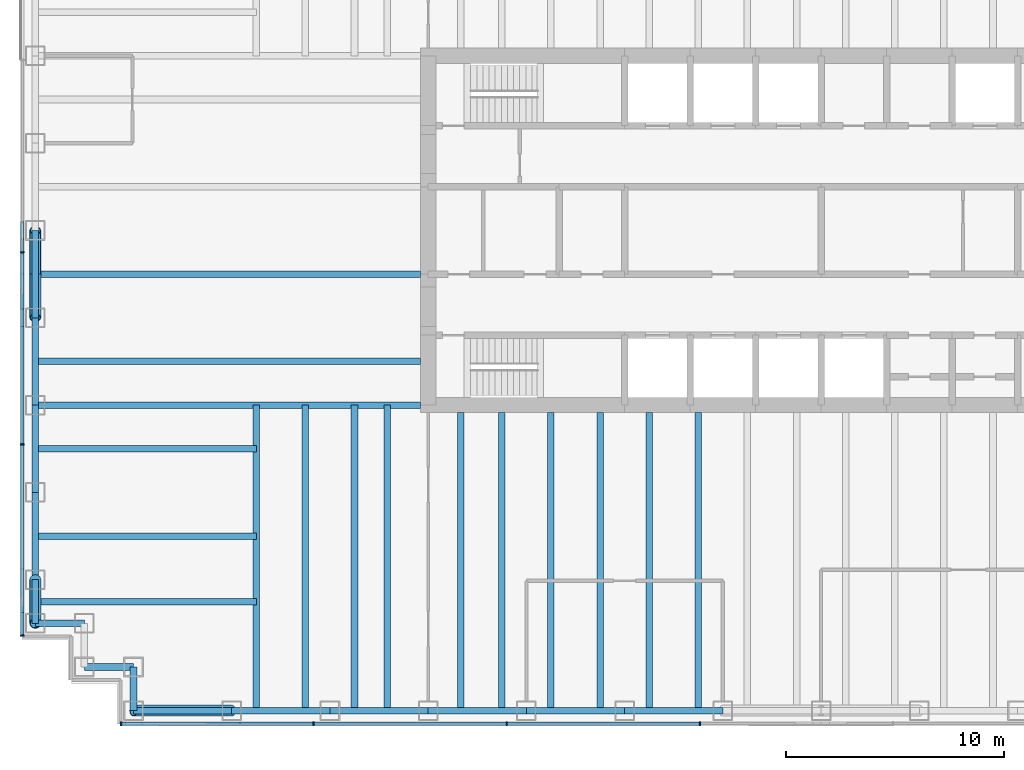
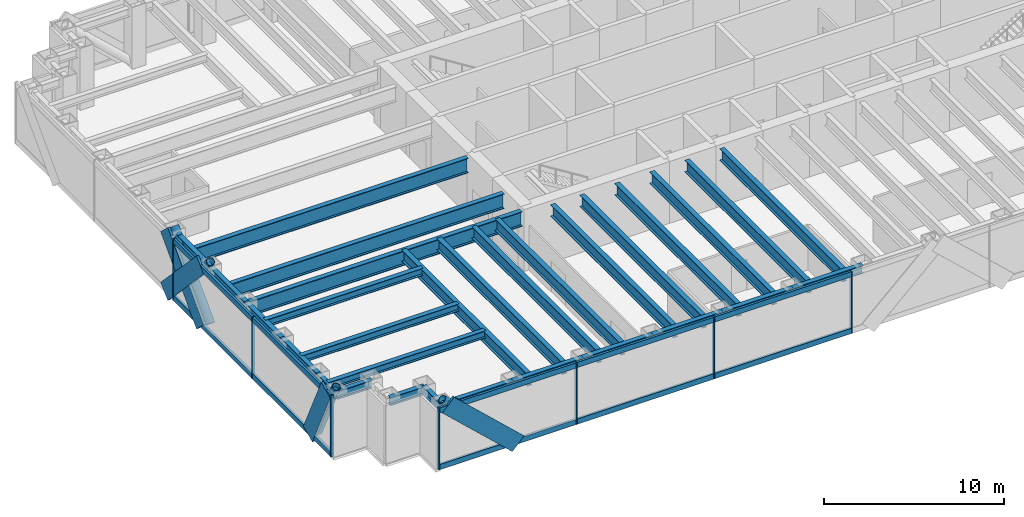
# One storey, part 2 of 15: 30 beams, 25 members, 2 elements without a shape of their own.
"""IFC4 building model written with IfcOpenShell, lengths in metres."""

from ifc_helpers import new_model, si_unit, direction, frame, origin, origin_2d, place, context, subcontext, project, spatial, rectangle, hollow_circle, i_section, extrude, material, material_profile, profile_set, type_object, element, aggregate, save


model = new_model("IFC4")

# Units and contexts
model_context = context("Model", 3, precision=1e-05, world=origin(), true_north=direction((0.0, 1.0)))
body_context = subcontext(model_context, "Body", "Model", "MODEL_VIEW")
ifc_project = project(units=[si_unit("LENGTHUNIT", "METRE"), si_unit("AREAUNIT", "SQUARE_METRE"), si_unit("VOLUMEUNIT", "CUBIC_METRE"), si_unit("PLANEANGLEUNIT", "RADIAN"), si_unit("MASSUNIT", "GRAM", prefix="KILO")], contexts=[model_context])

# Site, building, storey
site_placement = place(None, origin())
site = spatial("IfcSite", under=ifc_project, at=site_placement, CompositionType="ELEMENT")
building_placement = place(site_placement, origin())
building = spatial("IfcBuilding", under=site, at=building_placement, Name="Rheinbord Bourse Tower", CompositionType="ELEMENT")
storey_placement = place(building_placement, frame((0.0, 0.0, 329.89990234375)))
storey = spatial("IfcBuildingStorey", under=building, at=storey_placement, Name="L75", CompositionType="ELEMENT", Elevation=329.89990234375)

# Curtain wall, member
ifc_material_1 = material(Name="Dark glass and black aluminium", Category="aluminium")
curtain_wall_type = type_object("IfcCurtainWallType", Name="CW3 DARK GLASS CURTAIN WALL", PredefinedType="USERDEFINED", material=ifc_material_1)
curtain_wall_1_placement = place(storey_placement, origin())
curtain_wall_1 = element("IfcCurtainWall", 1, at=curtain_wall_1_placement, inside=storey, type_object=curtain_wall_type, Name="Curtain wall CW3 S L75", ObjectType="UNITISED CURTAIN WALL", PredefinedType="USERDEFINED")
ifc_material_2 = material(Name="Black anodised aluminium", Category="aluminium")
ifc_material_profile_1 = material_profile(ifc_material_2, rectangle(XDim=0.14990234375, YDim=1.10791015625, at=origin_2d()), Name="CW3 DIAGONAL MULLION 1108x150")
ifc_profile_set_1 = profile_set([ifc_material_profile_1], Name="Black anodised aluminium")
member_type_1 = type_object("IfcMemberType", Name="CW3 BLACK DIAGONAL MULLION", PredefinedType="USERDEFINED", material=ifc_profile_set_1)
member_1_placement = place(storey_placement, frame((9.0, 1.39990234375, 0.0), z_axis=(-0.731039441158, 0.0, 0.682335207557), x_axis=(0.0, -1.0, 0.0)))
member_1 = element("IfcMember", 2, at=member_1_placement, type_object=member_type_1, Name="CW3 diagonal mullion c", ObjectType="DIAGONAL MULLION", PredefinedType="USERDEFINED", context=body_context, shape_type="SweptSolid", body=[
    extrude(rectangle(XDim=0.14990234375, YDim=1.10791015625, at=origin_2d()), origin(), (0.0, 0.0, 1.0), 6.155517578125),
])

# Curtain wall, members
curtain_wall_2_placement = place(storey_placement, origin())
curtain_wall_2 = element("IfcCurtainWall", 3, at=curtain_wall_2_placement, inside=storey, type_object=curtain_wall_type, Name="Curtain wall CW3 W L75", ObjectType="UNITISED CURTAIN WALL", PredefinedType="USERDEFINED")
member_2_placement = place(storey_placement, frame((-0.60009765625, 20.0, 0.0), z_axis=(0.0, 0.689638355374, 0.72415394689), x_axis=(-1.0, 0.0, 0.0)))
member_2 = element("IfcMember", 4, at=member_2_placement, type_object=member_type_1, Name="CW3 diagonal mullion a", ObjectType="DIAGONAL MULLION", PredefinedType="USERDEFINED", context=body_context, shape_type="SweptSolid", body=[
    extrude(rectangle(XDim=0.14990234375, YDim=1.10791015625, at=origin_2d()), origin(), (0.0, 0.0, 1.0), 5.800048828125),
])
member_3_placement = place(storey_placement, frame((-0.60009765625, 24.0, 0.0), z_axis=(0.0, -0.689638355374, 0.72415394689), x_axis=(1.0, 0.0, 0.0)))
member_3 = element("IfcMember", 5, at=member_3_placement, type_object=member_type_1, Name="CW3 diagonal mullion b", ObjectType="DIAGONAL MULLION", PredefinedType="USERDEFINED", context=body_context, shape_type="SweptSolid", body=[
    extrude(rectangle(XDim=0.14990234375, YDim=1.10791015625, at=origin_2d()), origin(), (0.0, 0.0, 1.0), 5.800048828125),
])
member_4_placement = place(storey_placement, frame((-0.60009765625, 8.0, 0.0), z_axis=(0.0, -0.429917283348, 0.902868279141), x_axis=(1.0, 0.0, 0.0)))
member_4 = element("IfcMember", 6, at=member_4_placement, type_object=member_type_1, Name="CW3 diagonal mullion d", ObjectType="DIAGONAL MULLION", PredefinedType="USERDEFINED", context=body_context, shape_type="SweptSolid", body=[
    extrude(rectangle(XDim=0.14990234375, YDim=1.10791015625, at=origin_2d()), origin(), (0.0, 0.0, 1.0), 4.652099609375),
])

# Member
ifc_material_3 = material(Name="Black anodised aluminium", Category="aluminium")
ifc_material_profile_2 = material_profile(ifc_material_3, rectangle(XDim=0.199951171875, YDim=0.06494140625, at=origin_2d()), Name="CW3 MULLION 65x200")
ifc_profile_set_2 = profile_set([ifc_material_profile_2], Name="Black anodised aluminium")
member_type_2 = type_object("IfcMemberType", Name="CW3 BLACK MULLION", PredefinedType="MULLION", material=ifc_profile_set_2)
member_5_placement = place(storey_placement, frame((3.9326171875, 1.39990234375, 0.0), z_axis=(0.0, 0.0, 1.0), x_axis=(0.0, 1.0, 0.0)))
member_5 = element("IfcMember", 7, at=member_5_placement, type_object=member_type_2, Name="CW3 mullion 1", PredefinedType="MULLION", context=body_context, shape_type="SweptSolid", body=[
    extrude(rectangle(XDim=0.199951171875, YDim=0.06494140625, at=origin_2d()), origin(), (0.0, 0.0, 1.0), 4.2001953125),
])

member_6_placement = place(storey_placement, frame((12.75, 1.39990234375, 0.0), z_axis=(0.0, 0.0, 1.0), x_axis=(0.0, 1.0, 0.0)))
member_6 = element("IfcMember", 8, at=member_6_placement, type_object=member_type_2, Name="CW3 mullion 2", PredefinedType="MULLION", context=body_context, shape_type="SweptSolid", body=[
    extrude(rectangle(XDim=0.199951171875, YDim=0.06494140625, at=origin_2d()), origin(), (0.0, 0.0, 1.0), 4.2001953125),
])

member_7_placement = place(storey_placement, frame((21.60009765625, 1.39990234375, 0.0), z_axis=(0.0, 0.0, 1.0), x_axis=(0.0, 1.0, 0.0)))
member_7 = element("IfcMember", 9, at=member_7_placement, type_object=member_type_2, Name="CW3 mullion 3", PredefinedType="MULLION", context=body_context, shape_type="SweptSolid", body=[
    extrude(rectangle(XDim=0.199951171875, YDim=0.06494140625, at=origin_2d()), origin(), (0.0, 0.0, 1.0), 4.2001953125),
])

member_8_placement = place(storey_placement, frame((30.449951171875, 1.39990234375, 0.0), z_axis=(0.0, 0.0, 1.0), x_axis=(0.0, 1.0, 0.0)))
member_8 = element("IfcMember", 10, at=member_8_placement, type_object=member_type_2, Name="CW3 mullion 4", PredefinedType="MULLION", context=body_context, shape_type="SweptSolid", body=[
    extrude(rectangle(XDim=0.199951171875, YDim=0.06494140625, at=origin_2d()), origin(), (0.0, 0.0, 1.0), 4.2001953125),
])

member_9_placement = place(storey_placement, frame((-0.60009765625, 23.0, 0.0), z_axis=(0.0, 0.0, 1.0), x_axis=(1.0, 0.0, 0.0)))
member_9 = element("IfcMember", 11, at=member_9_placement, type_object=member_type_2, Name="CW3 mullion 3", PredefinedType="MULLION", context=body_context, shape_type="SweptSolid", body=[
    extrude(rectangle(XDim=0.199951171875, YDim=0.06494140625, at=origin_2d()), origin(), (0.0, 0.0, 1.0), 4.2001953125),
])

member_10_placement = place(storey_placement, frame((-0.60009765625, 14.199951171875, 0.0), z_axis=(0.0, 0.0, 1.0), x_axis=(1.0, 0.0, 0.0)))
member_10 = element("IfcMember", 12, at=member_10_placement, type_object=member_type_2, Name="CW3 mullion 4", PredefinedType="MULLION", context=body_context, shape_type="SweptSolid", body=[
    extrude(rectangle(XDim=0.199951171875, YDim=0.06494140625, at=origin_2d()), origin(), (0.0, 0.0, 1.0), 4.2001953125),
])

member_11_placement = place(storey_placement, frame((-0.60009765625, 5.4326171875, 0.0), z_axis=(0.0, 0.0, 1.0), x_axis=(1.0, 0.0, 0.0)))
member_11 = element("IfcMember", 13, at=member_11_placement, type_object=member_type_2, Name="CW3 mullion 5", PredefinedType="MULLION", context=body_context, shape_type="SweptSolid", body=[
    extrude(rectangle(XDim=0.199951171875, YDim=0.06494140625, at=origin_2d()), origin(), (0.0, 0.0, 1.0), 4.2001953125),
])

ifc_material_4 = material(Name="Black anodised aluminium", Category="aluminium")
ifc_material_profile_3 = material_profile(ifc_material_4, rectangle(XDim=0.14990234375, YDim=0.35009765625, at=origin_2d()), Name="CW3 TRANSOM 350x150")
ifc_profile_set_3 = profile_set([ifc_material_profile_3], Name="Black anodised aluminium")
member_type_3 = type_object("IfcMemberType", Name="CW3 BLACK TRANSOM", PredefinedType="USERDEFINED", material=ifc_profile_set_3)
member_12_placement = place(storey_placement, frame((3.965087890625, 1.39990234375, 0.175048828125), z_axis=(1.0, 0.0, 0.0), x_axis=(0.0, 1.0, 0.0)))
member_12 = element("IfcMember", 14, at=member_12_placement, type_object=member_type_3, Name="CW3 transom 1.1", ObjectType="TRANSOM", PredefinedType="USERDEFINED", context=body_context, shape_type="SweptSolid", body=[
    extrude(rectangle(XDim=0.14990234375, YDim=0.35009765625, at=origin_2d()), origin(), (0.0, 0.0, 1.0), 8.75244140625),
])

member_13_placement = place(storey_placement, frame((3.965087890625, 1.39990234375, 4.025146484375), z_axis=(1.0, 0.0, 0.0), x_axis=(0.0, 1.0, 0.0)))
member_13 = element("IfcMember", 15, at=member_13_placement, type_object=member_type_3, Name="CW3 transom 1.2", ObjectType="TRANSOM", PredefinedType="USERDEFINED", context=body_context, shape_type="SweptSolid", body=[
    extrude(rectangle(XDim=0.14990234375, YDim=0.35009765625, at=origin_2d()), origin(), (0.0, 0.0, 1.0), 8.75244140625),
])

member_14_placement = place(storey_placement, frame((12.782470703125, 1.39990234375, 0.175048828125), z_axis=(1.0, 0.0, 0.0), x_axis=(0.0, 1.0, 0.0)))
member_14 = element("IfcMember", 16, at=member_14_placement, type_object=member_type_3, Name="CW3 transom 2.1", ObjectType="TRANSOM", PredefinedType="USERDEFINED", context=body_context, shape_type="SweptSolid", body=[
    extrude(rectangle(XDim=0.14990234375, YDim=0.35009765625, at=origin_2d()), origin(), (0.0, 0.0, 1.0), 8.784912109375),
])

member_15_placement = place(storey_placement, frame((12.782470703125, 1.39990234375, 4.025146484375), z_axis=(1.0, 0.0, 0.0), x_axis=(0.0, 1.0, 0.0)))
member_15 = element("IfcMember", 17, at=member_15_placement, type_object=member_type_3, Name="CW3 transom 2.2", ObjectType="TRANSOM", PredefinedType="USERDEFINED", context=body_context, shape_type="SweptSolid", body=[
    extrude(rectangle(XDim=0.14990234375, YDim=0.35009765625, at=origin_2d()), origin(), (0.0, 0.0, 1.0), 8.784912109375),
])

member_16_placement = place(storey_placement, frame((21.632568359375, 1.39990234375, 0.175048828125), z_axis=(1.0, 0.0, 0.0), x_axis=(0.0, 1.0, 0.0)))
member_16 = element("IfcMember", 18, at=member_16_placement, type_object=member_type_3, Name="CW3 transom 3.1", ObjectType="TRANSOM", PredefinedType="USERDEFINED", context=body_context, shape_type="SweptSolid", body=[
    extrude(rectangle(XDim=0.14990234375, YDim=0.35009765625, at=origin_2d()), origin(), (0.0, 0.0, 1.0), 8.784912109375),
])

member_17_placement = place(storey_placement, frame((21.632568359375, 1.39990234375, 4.025146484375), z_axis=(1.0, 0.0, 0.0), x_axis=(0.0, 1.0, 0.0)))
member_17 = element("IfcMember", 19, at=member_17_placement, type_object=member_type_3, Name="CW3 transom 3.2", ObjectType="TRANSOM", PredefinedType="USERDEFINED", context=body_context, shape_type="SweptSolid", body=[
    extrude(rectangle(XDim=0.14990234375, YDim=0.35009765625, at=origin_2d()), origin(), (0.0, 0.0, 1.0), 8.784912109375),
])

aggregate(curtain_wall_1, [member_5, member_6, member_7, member_8, member_12, member_13, member_14, member_15, member_16, member_17, member_1])

member_18_placement = place(storey_placement, frame((-0.60009765625, 22.967529296875, 0.175048828125), z_axis=(0.0, -1.0, 0.0), x_axis=(1.0, 0.0, 0.0)))
member_18 = element("IfcMember", 20, at=member_18_placement, type_object=member_type_3, Name="CW3 transom 3.1", ObjectType="TRANSOM", PredefinedType="USERDEFINED", context=body_context, shape_type="SweptSolid", body=[
    extrude(rectangle(XDim=0.14990234375, YDim=0.35009765625, at=origin_2d()), origin(), (0.0, 0.0, 1.0), 8.735107421875),
])

member_19_placement = place(storey_placement, frame((-0.60009765625, 22.967529296875, 4.025146484375), z_axis=(0.0, -1.0, 0.0), x_axis=(1.0, 0.0, 0.0)))
member_19 = element("IfcMember", 21, at=member_19_placement, type_object=member_type_3, Name="CW3 transom 3.2", ObjectType="TRANSOM", PredefinedType="USERDEFINED", context=body_context, shape_type="SweptSolid", body=[
    extrude(rectangle(XDim=0.14990234375, YDim=0.35009765625, at=origin_2d()), origin(), (0.0, 0.0, 1.0), 8.735107421875),
])

member_20_placement = place(storey_placement, frame((-0.60009765625, 14.16748046875, 0.175048828125), z_axis=(0.0, -1.0, 0.0), x_axis=(1.0, 0.0, 0.0)))
member_20 = element("IfcMember", 22, at=member_20_placement, type_object=member_type_3, Name="CW3 transom 4.1", ObjectType="TRANSOM", PredefinedType="USERDEFINED", context=body_context, shape_type="SweptSolid", body=[
    extrude(rectangle(XDim=0.14990234375, YDim=0.35009765625, at=origin_2d()), origin(), (0.0, 0.0, 1.0), 8.702392578125),
])

member_21_placement = place(storey_placement, frame((-0.60009765625, 14.16748046875, 4.025146484375), z_axis=(0.0, -1.0, 0.0), x_axis=(1.0, 0.0, 0.0)))
member_21 = element("IfcMember", 23, at=member_21_placement, type_object=member_type_3, Name="CW3 transom 4.2", ObjectType="TRANSOM", PredefinedType="USERDEFINED", context=body_context, shape_type="SweptSolid", body=[
    extrude(rectangle(XDim=0.14990234375, YDim=0.35009765625, at=origin_2d()), origin(), (0.0, 0.0, 1.0), 8.702392578125),
])

aggregate(curtain_wall_2, [member_9, member_10, member_11, member_18, member_19, member_20, member_21, member_2, member_3, member_4])

# Beams
ifc_material_5 = material(Name="Steel S460", Category="steel")
ifc_material_profile_4 = material_profile(ifc_material_5, i_section(OverallWidth=0.302001953125, OverallDepth=1.008056640625, WebThickness=0.02099609375, FlangeThickness=0.0400390625, at=origin_2d()), Name="HEM 1000")
ifc_profile_set_4 = profile_set([ifc_material_profile_4], Name="Steel S460")
beam_type_1 = type_object("IfcBeamType", Name="END BEAM HEM 1000", PredefinedType="BEAM", material=ifc_profile_set_4)
for number, where, z_axis, x_axis, name in (
    (24, (0.0, 18.0, 3.446044921875), (1.0, 0.0, 0.0), (0.0, 1.0, 0.0), "End beam west 18 RF"),
    (25, (0.0, 22.0, 3.446044921875), (1.0, 0.0, 0.0), (0.0, 1.0, 0.0), "End beam west 22 RF"),
):
    element("IfcBeam", number, at=place(storey_placement, frame(where, z_axis=z_axis, x_axis=x_axis)), inside=storey, type_object=beam_type_1, Name=name, PredefinedType="BEAM", context=body_context, shape_type="SweptSolid", body=[
        extrude(i_section(OverallWidth=0.302001953125, OverallDepth=1.008056640625, WebThickness=0.02099609375, FlangeThickness=0.0400390625, at=origin_2d()), origin(), (0.0, 0.0, 1.0), 17.64990234375),
    ])
ifc_material_6 = material(Name="Steel S460", Category="steel")
ifc_material_profile_5 = material_profile(ifc_material_6, i_section(OverallWidth=0.300048828125, OverallDepth=0.800048828125, WebThickness=0.017578125, FlangeThickness=0.032958984375, at=origin_2d()), Name="HEB 800")
ifc_profile_set_5 = profile_set([ifc_material_profile_5], Name="Steel S460")
beam_type_2 = type_object("IfcBeamType", Name="FLOOR BEAM HEB 800", PredefinedType="BEAM", material=ifc_profile_set_5)
for number, where, z_axis, x_axis, name in (
    (26, (10.125, 2.0, 3.550048828125), (0.0, 1.0, 0.0), (-1.0, 0.0, 0.0), "Floor beam S-9a RF"),
    (27, (12.375, 2.0, 3.550048828125), (0.0, 1.0, 0.0), (-1.0, 0.0, 0.0), "Floor beam S-9b RF"),
    (28, (14.625, 2.0, 3.550048828125), (0.0, 1.0, 0.0), (-1.0, 0.0, 0.0), "Floor beam S-13.5a RF"),
    (29, (16.125, 2.0, 3.550048828125), (0.0, 1.0, 0.0), (-1.0, 0.0, 0.0), "Floor beam S-13.5b RF"),
):
    element("IfcBeam", number, at=place(storey_placement, frame(where, z_axis=z_axis, x_axis=x_axis)), inside=storey, type_object=beam_type_2, Name=name, PredefinedType="BEAM", context=body_context, shape_type="SweptSolid", body=[
        extrude(i_section(OverallWidth=0.300048828125, OverallDepth=0.800048828125, WebThickness=0.017578125, FlangeThickness=0.032958984375, at=origin_2d()), origin(), (0.0, 0.0, 1.0), 14.0),
    ])
for number, where, z_axis, x_axis, name in (
    (30, (19.5, 2.0, 3.550048828125), (0.0, 1.0, 0.0), (-1.0, 0.0, 0.0), "Floor beam S-18a RF"),
    (31, (21.375, 2.0, 3.550048828125), (0.0, 1.0, 0.0), (-1.0, 0.0, 0.0), "Floor beam S-18b RF"),
    (32, (23.625, 2.0, 3.550048828125), (0.0, 1.0, 0.0), (-1.0, 0.0, 0.0), "Floor beam S-22.5a RF"),
    (33, (25.875, 2.0, 3.550048828125), (0.0, 1.0, 0.0), (-1.0, 0.0, 0.0), "Floor beam S-22.5b RF"),
    (34, (28.125, 2.0, 3.550048828125), (0.0, 1.0, 0.0), (-1.0, 0.0, 0.0), "Floor beam S-27a RF"),
    (35, (30.375, 2.0, 3.550048828125), (0.0, 1.0, 0.0), (-1.0, 0.0, 0.0), "Floor beam S-27b RF"),
):
    element("IfcBeam", number, at=place(storey_placement, frame(where, z_axis=z_axis, x_axis=x_axis)), inside=storey, type_object=beam_type_2, Name=name, PredefinedType="BEAM", context=body_context, shape_type="SweptSolid", body=[
        extrude(i_section(OverallWidth=0.300048828125, OverallDepth=0.800048828125, WebThickness=0.017578125, FlangeThickness=0.032958984375, at=origin_2d()), origin(), (0.0, 0.0, 1.0), 13.64990234375),
    ])
ifc_material_7 = material(Name="Steel S460", Category="steel")
ifc_material_profile_6 = material_profile(ifc_material_7, i_section(OverallWidth=0.302001953125, OverallDepth=1.008056640625, WebThickness=0.02099609375, FlangeThickness=0.0400390625, at=origin_2d()), Name="HEM 1000")
ifc_profile_set_6 = profile_set([ifc_material_profile_6], Name="Steel S460")
beam_type_3 = type_object("IfcBeamType", Name="GIRDER HEM 1000", PredefinedType="BEAM", material=ifc_profile_set_6)
beam_1_placement = place(storey_placement, frame((0.0, 16.0, 3.446044921875), z_axis=(1.0, 0.0, 0.0), x_axis=(0.0, 1.0, 0.0)))
element("IfcBeam", 36, at=beam_1_placement, inside=storey, type_object=beam_type_3, Name="Girder west 16 RF", PredefinedType="BEAM", context=body_context, shape_type="SweptSolid", body=[
    extrude(i_section(OverallWidth=0.302001953125, OverallDepth=1.008056640625, WebThickness=0.02099609375, FlangeThickness=0.0400390625, at=origin_2d()), origin(), (0.0, 0.0, 1.0), 17.64990234375),
])

# Members
ifc_material_8 = material(Name="Steel S460", Category="steel")
ifc_material_profile_7 = material_profile(ifc_material_8, hollow_circle(Radius=0.25390625, WallThickness=0.030029296875, at=origin_2d()), Name="CHS 508x30")
ifc_profile_set_7 = profile_set([ifc_material_profile_7], Name="Steel S460")
member_type_4 = type_object("IfcMemberType", Name="MEGABRACE CHS 508x30", PredefinedType="BRACE", material=ifc_profile_set_7)
member_22_placement = place(storey_placement, frame((9.0, 2.0, 0.0), z_axis=(-0.731039441158, 0.0, 0.682335207557), x_axis=(0.0, -1.0, 0.0)))
element("IfcMember", 37, at=member_22_placement, inside=storey, type_object=member_type_4, Name="Megabrace S face line c L75", PredefinedType="BRACE", context=body_context, shape_type="SweptSolid", body=[
    extrude(hollow_circle(Radius=0.25390625, WallThickness=0.030029296875, at=origin_2d()), origin(), (0.0, 0.0, 1.0), 6.155517578125),
])
for number, where, z_axis, x_axis, name in (
    (38, (0.0, 20.0, 0.0), (0.0, 0.689638355374, 0.72415394689), (-1.0, 0.0, 0.0), "Megabrace W face line a L75"),
    (39, (0.0, 24.0, 0.0), (0.0, -0.689638355374, 0.72415394689), (1.0, 0.0, 0.0), "Megabrace W face line b L75"),
):
    element("IfcMember", number, at=place(storey_placement, frame(where, z_axis=z_axis, x_axis=x_axis)), inside=storey, type_object=member_type_4, Name=name, PredefinedType="BRACE", context=body_context, shape_type="SweptSolid", body=[
        extrude(hollow_circle(Radius=0.25390625, WallThickness=0.030029296875, at=origin_2d()), origin(), (0.0, 0.0, 1.0), 5.800048828125),
    ])
member_23_placement = place(storey_placement, frame((0.0, 8.0, 0.0), z_axis=(0.0, -0.429917283348, 0.902868279141), x_axis=(1.0, 0.0, 0.0)))
element("IfcMember", 40, at=member_23_placement, inside=storey, type_object=member_type_4, Name="Megabrace W face line d L75", PredefinedType="BRACE", context=body_context, shape_type="SweptSolid", body=[
    extrude(hollow_circle(Radius=0.25390625, WallThickness=0.030029296875, at=origin_2d()), origin(), (0.0, 0.0, 1.0), 4.652099609375),
])

# Beams
ifc_material_9 = material(Name="Steel S460", Category="steel")
ifc_material_profile_8 = material_profile(ifc_material_9, i_section(OverallWidth=0.300048828125, OverallDepth=0.550048828125, WebThickness=0.014892578125, FlangeThickness=0.029052734375, at=origin_2d()), Name="HEB 550")
ifc_profile_set_8 = profile_set([ifc_material_profile_8], Name="Steel S460")
beam_type_4 = type_object("IfcBeamType", Name="SPANDREL HEB 550", PredefinedType="SPANDREL", material=ifc_profile_set_8)
for number, where, z_axis, x_axis, name in (
    (41, (4.5, 2.0, 3.675048828125), (1.0, 0.0, 0.0), (0.0, 1.0, 0.0), "Spandrel SW-E-S-9 under RF"),
    (42, (9.0, 2.0, 3.675048828125), (1.0, 0.0, 0.0), (0.0, 1.0, 0.0), "Spandrel S-9-S-13.5 under RF"),
    (43, (13.5, 2.0, 3.675048828125), (1.0, 0.0, 0.0), (0.0, 1.0, 0.0), "Spandrel S-13.5-S-18 under RF"),
    (44, (18.0, 2.0, 3.675048828125), (1.0, 0.0, 0.0), (0.0, 1.0, 0.0), "Spandrel S-18-S-22.5 under RF"),
    (45, (22.5, 2.0, 3.675048828125), (1.0, 0.0, 0.0), (0.0, 1.0, 0.0), "Spandrel S-22.5-S-27 under RF"),
    (46, (27.0, 2.0, 3.675048828125), (1.0, 0.0, 0.0), (0.0, 1.0, 0.0), "Spandrel S-27-S-31.5 under RF"),
):
    element("IfcBeam", number, at=place(storey_placement, frame(where, z_axis=z_axis, x_axis=x_axis)), inside=storey, type_object=beam_type_4, Name=name, PredefinedType="SPANDREL", context=body_context, shape_type="SweptSolid", body=[
        extrude(i_section(OverallWidth=0.300048828125, OverallDepth=0.550048828125, WebThickness=0.014892578125, FlangeThickness=0.029052734375, at=origin_2d()), origin(), (0.0, 0.0, 1.0), 4.5),
    ])
for number, where, z_axis, x_axis, name in (
    (47, (0.0, 24.0, 3.675048828125), (0.0, -1.0, 0.0), (1.0, 0.0, 0.0), "Spandrel W-24-W-20 under RF"),
    (48, (0.0, 20.0, 3.675048828125), (0.0, -1.0, 0.0), (1.0, 0.0, 0.0), "Spandrel W-20-W-16 under RF"),
    (49, (0.0, 16.0, 3.675048828125), (0.0, -1.0, 0.0), (1.0, 0.0, 0.0), "Spandrel W-16-W-12 under RF"),
    (50, (0.0, 12.0, 3.675048828125), (0.0, -1.0, 0.0), (1.0, 0.0, 0.0), "Spandrel W-12-W-8 under RF"),
):
    element("IfcBeam", number, at=place(storey_placement, frame(where, z_axis=z_axis, x_axis=x_axis)), inside=storey, type_object=beam_type_4, Name=name, PredefinedType="SPANDREL", context=body_context, shape_type="SweptSolid", body=[
        extrude(i_section(OverallWidth=0.300048828125, OverallDepth=0.550048828125, WebThickness=0.014892578125, FlangeThickness=0.029052734375, at=origin_2d()), origin(), (0.0, 0.0, 1.0), 4.0),
    ])
beam_2_placement = place(storey_placement, frame((0.0, 8.0, 3.675048828125), z_axis=(0.0, -1.0, 0.0), x_axis=(1.0, 0.0, 0.0)))
element("IfcBeam", 51, at=beam_2_placement, inside=storey, type_object=beam_type_4, Name="Spandrel W-8-SW-A under RF", PredefinedType="SPANDREL", context=body_context, shape_type="SweptSolid", body=[
    extrude(i_section(OverallWidth=0.300048828125, OverallDepth=0.550048828125, WebThickness=0.014892578125, FlangeThickness=0.029052734375, at=origin_2d()), origin(), (0.0, 0.0, 1.0), 2.0),
])
for number, where, z_axis, x_axis, name in (
    (52, (0.0, 6.0, 3.675048828125), (1.0, 0.0, 0.0), (0.0, 1.0, 0.0), "Spandrel SW-A-SW-B under RF"),
    (53, (2.25, 4.0, 3.675048828125), (1.0, 0.0, 0.0), (0.0, 1.0, 0.0), "Spandrel SW-C-SW-D under RF"),
):
    element("IfcBeam", number, at=place(storey_placement, frame(where, z_axis=z_axis, x_axis=x_axis)), inside=storey, type_object=beam_type_4, Name=name, PredefinedType="SPANDREL", context=body_context, shape_type="SweptSolid", body=[
        extrude(i_section(OverallWidth=0.300048828125, OverallDepth=0.550048828125, WebThickness=0.014892578125, FlangeThickness=0.029052734375, at=origin_2d()), origin(), (0.0, 0.0, 1.0), 2.25),
    ])
beam_3_placement = place(storey_placement, frame((4.5, 4.0, 3.675048828125), z_axis=(0.0, -1.0, 0.0), x_axis=(1.0, 0.0, 0.0)))
element("IfcBeam", 54, at=beam_3_placement, inside=storey, type_object=beam_type_4, Name="Spandrel SW-D-SW-E under RF", PredefinedType="SPANDREL", context=body_context, shape_type="SweptSolid", body=[
    extrude(i_section(OverallWidth=0.300048828125, OverallDepth=0.550048828125, WebThickness=0.014892578125, FlangeThickness=0.029052734375, at=origin_2d()), origin(), (0.0, 0.0, 1.0), 2.0),
])
ifc_material_10 = material(Name="Steel S460", Category="steel")
ifc_material_profile_9 = material_profile(ifc_material_10, i_section(OverallWidth=0.300048828125, OverallDepth=0.5, WebThickness=0.014404296875, FlangeThickness=0.028076171875, at=origin_2d()), Name="HEB 500")
ifc_profile_set_9 = profile_set([ifc_material_profile_9], Name="Steel S460")
beam_type_5 = type_object("IfcBeamType", Name="TIE BEAM HEB 500", PredefinedType="JOIST", material=ifc_profile_set_9)
for number, where, z_axis, x_axis, name in (
    (55, (0.0, 7.0, 3.7001953125), (1.0, 0.0, 0.0), (0.0, 1.0, 0.0), "Tie west 7 RF"),
    (56, (0.0, 10.0, 3.7001953125), (1.0, 0.0, 0.0), (0.0, 1.0, 0.0), "Tie west 10 RF"),
    (57, (0.0, 14.0, 3.7001953125), (1.0, 0.0, 0.0), (0.0, 1.0, 0.0), "Tie west 14 RF"),
):
    element("IfcBeam", number, at=place(storey_placement, frame(where, z_axis=z_axis, x_axis=x_axis)), inside=storey, type_object=beam_type_5, Name=name, PredefinedType="JOIST", context=body_context, shape_type="SweptSolid", body=[
        extrude(i_section(OverallWidth=0.300048828125, OverallDepth=0.5, WebThickness=0.014404296875, FlangeThickness=0.028076171875, at=origin_2d()), origin(), (0.0, 0.0, 1.0), 10.125),
    ])

save(model, "model.ifc")
